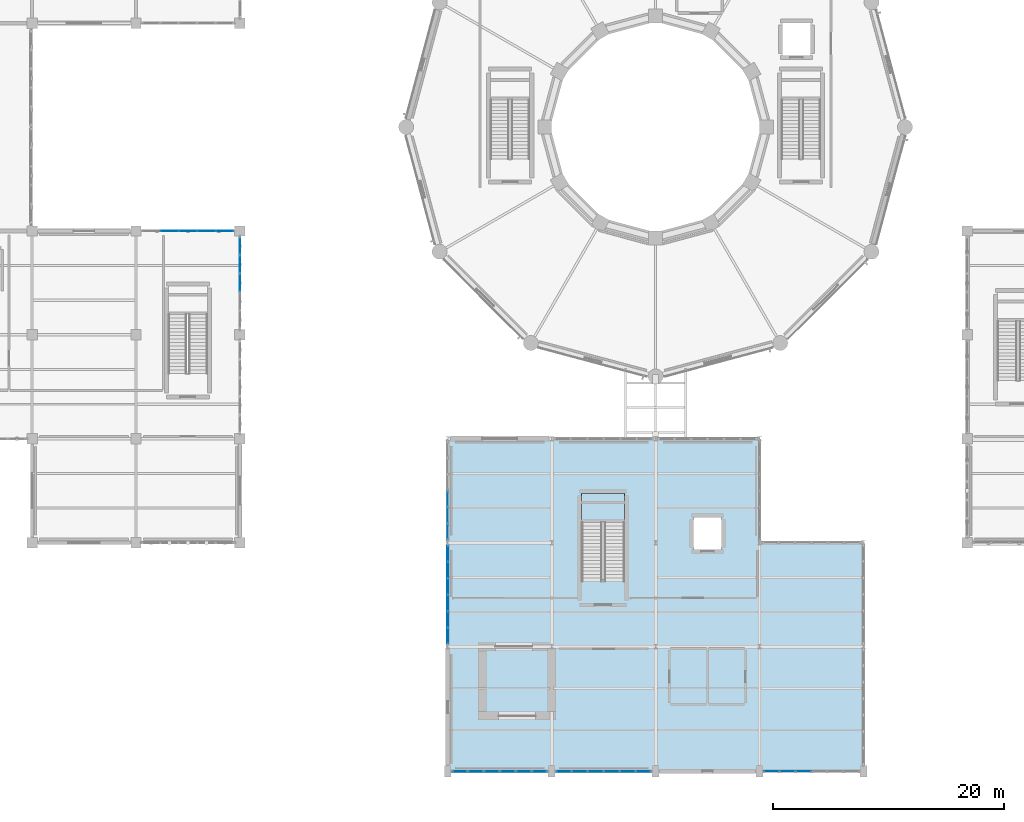
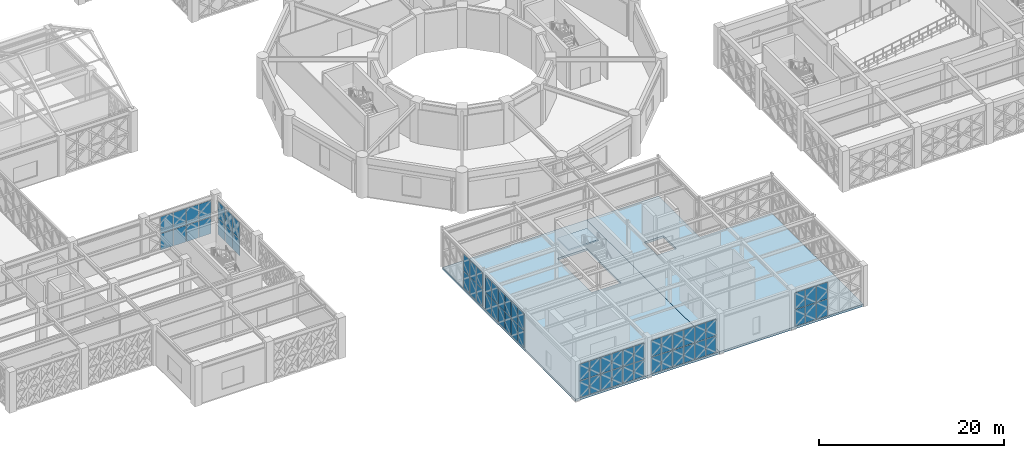
# One storey, part 126 of 166: 62 plates, 3 slabs, 8 elements without a shape of their own.
"""IFC4 building model written with IfcOpenShell, lengths in metres."""

import ifcopenshell
import ifcopenshell.guid

model = None  # the IFC model being written
_history = None  # IfcOwnerHistory: only IFC2X3 demands one
_inside = {}  # id of a spatial element -> (the spatial element, [elements in it])
_under = {}  # id of a project, library or spatial element -> (it, [spatial elements below it])
_declared = {}  # id of a project -> (the project, [libraries it declares])
_typed = {}  # id of a type object -> (the type object, [elements of that type])
_made_of = {}  # id of a material, layer set ... -> (it, [elements and type objects made of it])


def new_model(schema):
    """Start an empty IFC model of exactly this schema.

    Asked for "IFC4X3", IfcOpenShell would pick the latest addendum, in which some entities
    have other attributes; the version numbers below select the first issue.
    IFC2X3 requires an IfcOwnerHistory on every rooted entity: one is made here for all.
    """
    global model, _history
    if schema == "IFC4X3":
        model = ifcopenshell.file(schema_version=(4, 3, 0, 0))
    else:
        model = ifcopenshell.file(schema=schema)
    _inside.clear()
    _under.clear()
    _declared.clear()
    _typed.clear()
    _made_of.clear()
    _history = None
    if model.schema == "IFC2X3":
        org = make("IfcOrganization", Name="unknown")
        user = make(
            "IfcPersonAndOrganization",
            ThePerson=make("IfcPerson", FamilyName="unknown"),
            TheOrganization=org,
        )
        app = make(
            "IfcApplication",
            ApplicationDeveloper=org,
            Version="unknown",
            ApplicationFullName="unknown",
            ApplicationIdentifier="unknown",
        )
        _history = make(
            "IfcOwnerHistory",
            OwningUser=user,
            OwningApplication=app,
            ChangeAction="ADDED",
            CreationDate=0,
        )
    return model


def make(cls, **values):
    """One entity of the class cls with the attributes given. An attribute that is None is left unset."""
    return model.create_entity(
        cls, **{name: value for name, value in values.items() if value is not None}
    )


def rooted(cls, **values):
    """An entity with a GlobalId (a new one), such as an element, a storey or a relation."""
    return make(cls, GlobalId=ifcopenshell.guid.new(), OwnerHistory=_history, **values)


def si_unit(unit_type, name, prefix=None):
    """IfcSIUnit, for example si_unit("LENGTHUNIT", "METRE", prefix="MILLI")."""
    return make("IfcSIUnit", UnitType=unit_type, Prefix=prefix, Name=name)


def assignment(units):
    """IfcUnitAssignment: the units of a project."""
    return None if units is None else make("IfcUnitAssignment", Units=units)


def point(xyz):
    """IfcCartesianPoint."""
    return None if xyz is None else make("IfcCartesianPoint", Coordinates=xyz)


def direction(xyz):
    """IfcDirection."""
    return None if xyz is None else make("IfcDirection", DirectionRatios=xyz)


def frame(location, z_axis=None, x_axis=None):
    """IfcAxis2Placement3D, a coordinate frame: its origin and axes. An axis left out is left unset."""
    return make(
        "IfcAxis2Placement3D",
        Location=point(location),
        Axis=direction(z_axis),
        RefDirection=direction(x_axis),
    )


def frame_2d(location, x_axis=None):
    """IfcAxis2Placement2D, a coordinate frame in the plane: its origin and x axis."""
    return make(
        "IfcAxis2Placement2D", Location=point(location), RefDirection=direction(x_axis)
    )


def origin():
    """The frame at (0, 0, 0) with its axes left unset."""
    return frame((0.0, 0.0, 0.0))


def origin_2d():
    """The frame at (0, 0) in the plane with its x axis left unset."""
    return frame_2d((0.0, 0.0))


def place(relative_to, where):
    """IfcLocalPlacement: puts the frame where relative to a parent placement (None: the world)."""
    return make(
        "IfcLocalPlacement", PlacementRelTo=relative_to, RelativePlacement=where
    )


def context(
    kind, dimensions, precision=None, world=None, true_north=None, identifier=None
):
    """IfcGeometricRepresentationContext, for example the 3D "Model" context."""
    return make(
        "IfcGeometricRepresentationContext",
        ContextIdentifier=identifier,
        ContextType=kind,
        CoordinateSpaceDimension=dimensions,
        Precision=precision,
        WorldCoordinateSystem=world,
        TrueNorth=true_north,
    )


def subcontext(parent, identifier, kind, view, scale=None):
    """IfcGeometricRepresentationSubContext, for example "Body" below "Model"."""
    return make(
        "IfcGeometricRepresentationSubContext",
        ContextIdentifier=identifier,
        ContextType=kind,
        ParentContext=parent,
        TargetScale=scale,
        TargetView=view,
    )


def project(units=None, contexts=None):
    """IfcProject with its units and contexts."""
    return rooted(
        "IfcProject",
        Name="project",
        RepresentationContexts=contexts,
        UnitsInContext=assignment(units),
    )


def spatial(cls, under=None, at=None, **own):
    """A site, building, storey or space (cls), placed at a placement, below another one or the project."""
    s = rooted(cls, ObjectPlacement=at, **own)
    if under is not None:
        _under.setdefault(under.id(), (under, []))[1].append(s)
    return s


def polyline(points):
    """IfcPolyline through the points."""
    return make("IfcPolyline", Points=[point(p) for p in points])


def profile(cls, at=None, kind="AREA", **sizes):
    """A parametric profile (cls). Its sizes go by their IFC names, for example OverallWidth=200.0."""
    return make(cls, ProfileType=kind, Position=at, **sizes)


def rectangle(**sizes):
    """IfcRectangleProfileDef."""
    return profile("IfcRectangleProfileDef", **sizes)


def outline(outer, holes=None, kind="AREA"):
    """IfcArbitraryClosedProfileDef: a profile drawn as a closed curve; with holes, ...WithVoids."""
    if holes is None:
        return make("IfcArbitraryClosedProfileDef", ProfileType=kind, OuterCurve=outer)
    return make(
        "IfcArbitraryProfileDefWithVoids",
        ProfileType=kind,
        OuterCurve=outer,
        InnerCurves=holes,
    )


def extrude(swept, where, along, depth):
    """IfcExtrudedAreaSolid: the profile swept, set in the frame where, extruded along a direction by depth."""
    return make(
        "IfcExtrudedAreaSolid",
        SweptArea=swept,
        Position=where,
        ExtrudedDirection=direction(along),
        Depth=depth,
    )


def shape(context_of_items, identifier, shape_type, items):
    """IfcShapeRepresentation: the items that make up one representation, for example the "Body"."""
    return make(
        "IfcShapeRepresentation",
        ContextOfItems=context_of_items,
        RepresentationIdentifier=identifier,
        RepresentationType=shape_type,
        Items=items,
    )


def material(Name=None, Category=None):
    """IfcMaterial."""
    return make("IfcMaterial", Name=Name, Category=Category)


def layer(
    of_material, thickness, ventilated=None, Name=None, Category=None, Priority=None
):
    """IfcMaterialLayer: one layer of a wall or slab, of a material (None: an air gap)."""
    return make(
        "IfcMaterialLayer",
        Material=of_material,
        LayerThickness=thickness,
        IsVentilated=ventilated,
        Name=Name,
        Category=Category,
        Priority=Priority,
    )


def layer_set(layers, Name=None):
    """IfcMaterialLayerSet."""
    return make("IfcMaterialLayerSet", MaterialLayers=layers, LayerSetName=Name)


def made_of(thing, what):
    """Note that an element or type object is made of a material, layer set ...; save() writes the relation."""
    if what is not None:
        _made_of.setdefault(what.id(), (what, []))[1].append(thing)
    return thing


def type_object(cls, material=None, **own):
    """A type object (cls), such as IfcWallType, which elements share."""
    return made_of(rooted(cls, **own), material)


def element(
    cls,
    number,
    at=None,
    inside=None,
    cuts=None,
    type_object=None,
    material=None,
    context=None,
    identifier="Body",
    shape_type=None,
    held_by="IfcProductDefinitionShape",
    body=None,
    shapes=None,
    **own,
):
    """One element of the class cls, such as IfcWall. Its Tag is "e" and its number.

    at: its placement. inside: the storey or other place that contains it. cuts: it is an
    opening in that element (IfcRelVoidsElement). A single representation is given by context,
    identifier, shape_type and body (its items); several are given by shapes. held_by: the class
    of the entity that holds the representations. save() writes the other relations.
    """
    e = rooted(cls, Tag="e%d" % number, ObjectPlacement=at, **own)
    if body is not None:
        shapes = [shape(context, identifier, shape_type, body)]
    if shapes is not None:
        e.Representation = make(held_by, Representations=shapes)
    if inside is not None:
        _inside.setdefault(inside.id(), (inside, []))[1].append(e)
    if cuts is not None:
        rooted(
            "IfcRelVoidsElement", RelatingBuildingElement=cuts, RelatedOpeningElement=e
        )
    if type_object is not None:
        _typed.setdefault(type_object.id(), (type_object, []))[1].append(e)
    return made_of(e, material)


def aggregate(whole, parts):
    """IfcRelAggregates: a whole, such as a stair, and the parts it consists of."""
    return rooted("IfcRelAggregates", RelatingObject=whole, RelatedObjects=parts)


def save(model, path):
    """Write the relations noted so far, then the file.

    IfcRelAggregates (storeys below a building ...), IfcRelContainedInSpatialStructure (elements
    in a storey), IfcRelDefinesByType, IfcRelAssociatesMaterial and IfcRelDeclares: one each for
    every whole, place, type object, material and project.
    """
    for whole, parts in _under.values():
        aggregate(whole, parts)
    for where, things in _inside.values():
        rooted(
            "IfcRelContainedInSpatialStructure",
            RelatedElements=things,
            RelatingStructure=where,
        )
    for kind, things in _typed.values():
        rooted("IfcRelDefinesByType", RelatedObjects=things, RelatingType=kind)
    for what, things in _made_of.values():
        rooted("IfcRelAssociatesMaterial", RelatedObjects=things, RelatingMaterial=what)
    for by, libraries in _declared.values():
        rooted("IfcRelDeclares", RelatingContext=by, RelatedDefinitions=libraries)
    model.write(path)


model = new_model("IFC4")

# Units and contexts
model_context = context("Model", 3, precision=1e-05, world=origin(), true_north=direction((0.0, 1.0)))
body_context = subcontext(model_context, "Body", "Model", "MODEL_VIEW")
ifc_project = project(units=[si_unit("LENGTHUNIT", "METRE"), si_unit("AREAUNIT", "SQUARE_METRE"), si_unit("VOLUMEUNIT", "CUBIC_METRE"), si_unit("PLANEANGLEUNIT", "RADIAN"), si_unit("MASSUNIT", "GRAM", prefix="KILO")], contexts=[model_context])

# Site, building, storey
site_placement = place(None, origin())
site = spatial("IfcSite", under=ifc_project, at=site_placement, CompositionType="ELEMENT")
building_placement = place(site_placement, origin())
building = spatial("IfcBuilding", under=site, at=building_placement, Name="Haizhuo Lancet Aquarium", CompositionType="ELEMENT")
storey_placement = place(building_placement, frame((0.0, 0.0, 5.39990234375)))
storey = spatial("IfcBuildingStorey", under=building, at=storey_placement, Name="L01", CompositionType="ELEMENT", Elevation=5.39990234375)

# Curtain wall, plates
ifc_material_1 = material(Name="Aluminium 6063-T6", Category="aluminium")
curtain_wall_type_1 = type_object("IfcCurtainWallType", Name="CWO-8310x4550", PredefinedType="NOTDEFINED", material=ifc_material_1)
curtain_wall_1_placement = place(storey_placement, origin())
curtain_wall_1 = element("IfcCurtainWall", 1, at=curtain_wall_1_placement, inside=storey, type_object=curtain_wall_type_1, Name="L01 curtain wall CW-V4-L01-097", PredefinedType="NOTDEFINED")
ifc_material_2 = material(Name="Laminated Low-E Glass", Category="glass")
ifc_layer_1 = layer(ifc_material_2, 0.028076171875)
ifc_layer_set_1 = layer_set([ifc_layer_1], Name="Laminated Low-E Glass")
plate_type_1 = type_object("IfcPlateType", Name="CW-PNL-1", PredefinedType="CURTAIN_PANEL", material=ifc_layer_set_1)
plate_1_placement = place(storey_placement, frame((12.80810546875, -55.800048828125, 0.064453125), z_axis=(0.0, 0.0, 1.0), x_axis=(-1.0, 0.0, 0.0)))
plate_1 = element("IfcPlate", 2, at=plate_1_placement, type_object=plate_type_1, Name="CWO-83x45 panel 4.1", PredefinedType="CURTAIN_PANEL", context=body_context, shape_type="SweptSolid", body=[
    extrude(rectangle(XDim=1.320068359375, YDim=0.028076171875, at=origin_2d()), origin(), (0.0, 0.0, 1.0), 2.178955078125),
])
plate_2_placement = place(storey_placement, frame((12.80810546875, -55.800048828125, 2.30908203125), z_axis=(0.0, 0.0, 1.0), x_axis=(-1.0, 0.0, 0.0)))
plate_2 = element("IfcPlate", 3, at=plate_2_placement, type_object=plate_type_1, Name="CWO-83x45 panel 4.2", PredefinedType="CURTAIN_PANEL", context=body_context, shape_type="SweptSolid", body=[
    extrude(rectangle(XDim=1.320068359375, YDim=0.028076171875, at=origin_2d()), origin(), (0.0, 0.0, 1.0), 2.177978515625),
])
plate_3_placement = place(storey_placement, frame((11.423095703125, -55.800048828125, 0.064453125), z_axis=(0.0, 0.0, 1.0), x_axis=(-1.0, 0.0, 0.0)))
plate_3 = element("IfcPlate", 4, at=plate_3_placement, type_object=plate_type_1, Name="CWO-83x45 panel 5.1", PredefinedType="CURTAIN_PANEL", context=body_context, shape_type="SweptSolid", body=[
    extrude(rectangle(XDim=1.320068359375, YDim=0.028076171875, at=origin_2d()), origin(), (0.0, 0.0, 1.0), 2.178955078125),
])
plate_4_placement = place(storey_placement, frame((11.423095703125, -55.800048828125, 2.30908203125), z_axis=(0.0, 0.0, 1.0), x_axis=(-1.0, 0.0, 0.0)))
plate_4 = element("IfcPlate", 5, at=plate_4_placement, type_object=plate_type_1, Name="CWO-83x45 panel 5.2", PredefinedType="CURTAIN_PANEL", context=body_context, shape_type="SweptSolid", body=[
    extrude(rectangle(XDim=1.320068359375, YDim=0.028076171875, at=origin_2d()), origin(), (0.0, 0.0, 1.0), 2.177978515625),
])
plate_5_placement = place(storey_placement, frame((10.053955078125, -55.800048828125, 0.064453125), z_axis=(0.0, 0.0, 1.0), x_axis=(-1.0, 0.0, 0.0)))
plate_5 = element("IfcPlate", 6, at=plate_5_placement, type_object=plate_type_1, Name="CWO-83x45 panel 6.1", PredefinedType="CURTAIN_PANEL", context=body_context, shape_type="SweptSolid", body=[
    extrude(rectangle(XDim=1.287109375, YDim=0.028076171875, at=origin_2d()), origin(), (0.0, 0.0, 1.0), 2.178955078125),
])
plate_6_placement = place(storey_placement, frame((10.053955078125, -55.800048828125, 2.30908203125), z_axis=(0.0, 0.0, 1.0), x_axis=(-1.0, 0.0, 0.0)))
plate_6 = element("IfcPlate", 7, at=plate_6_placement, type_object=plate_type_1, Name="CWO-83x45 panel 6.2", PredefinedType="CURTAIN_PANEL", context=body_context, shape_type="SweptSolid", body=[
    extrude(rectangle(XDim=1.287109375, YDim=0.028076171875, at=origin_2d()), origin(), (0.0, 0.0, 1.0), 2.177978515625),
])
aggregate(curtain_wall_1, [plate_1, plate_2, plate_3, plate_4, plate_5, plate_6])

curtain_wall_type_2 = type_object("IfcCurtainWallType", Name="CWO-8560x4650", PredefinedType="NOTDEFINED", material=ifc_material_1)
curtain_wall_2_placement = place(storey_placement, origin())
curtain_wall_2 = element("IfcCurtainWall", 8, at=curtain_wall_2_placement, inside=storey, type_object=curtain_wall_type_2, Name="L01 curtain wall CW-V4-L01-101", PredefinedType="NOTDEFINED")
plate_7_placement = place(storey_placement, frame((-18.0, -35.048095703125, 0.0751953125), z_axis=(0.0, 0.0, 1.0), x_axis=(0.0, 1.0, 0.0)))
plate_7 = element("IfcPlate", 9, at=plate_7_placement, type_object=plate_type_1, Name="CWO-85x46 panel 1.1", PredefinedType="CURTAIN_PANEL", context=body_context, shape_type="SweptSolid", body=[
    extrude(rectangle(XDim=1.31396484375, YDim=0.028076171875, at=origin_2d()), origin(), (0.0, 0.0, 1.0), 2.214111328125),
])
plate_8_placement = place(storey_placement, frame((-18.0, -35.048095703125, 2.36328125), z_axis=(0.0, 0.0, 1.0), x_axis=(0.0, 1.0, 0.0)))
plate_8 = element("IfcPlate", 10, at=plate_8_placement, type_object=plate_type_1, Name="CWO-85x46 panel 1.2", PredefinedType="CURTAIN_PANEL", context=body_context, shape_type="SweptSolid", body=[
    extrude(rectangle(XDim=1.31396484375, YDim=0.028076171875, at=origin_2d()), origin(), (0.0, 0.0, 1.0), 2.214111328125),
])
plate_9_placement = place(storey_placement, frame((-18.0, -33.639892578125, 0.0751953125), z_axis=(0.0, 0.0, 1.0), x_axis=(0.0, 1.0, 0.0)))
plate_9 = element("IfcPlate", 11, at=plate_9_placement, type_object=plate_type_1, Name="CWO-85x46 panel 2.1", PredefinedType="CURTAIN_PANEL", context=body_context, shape_type="SweptSolid", body=[
    extrude(rectangle(XDim=1.35205078125, YDim=0.028076171875, at=origin_2d()), origin(), (0.0, 0.0, 1.0), 2.214111328125),
])
plate_10_placement = place(storey_placement, frame((-18.0, -33.639892578125, 2.36328125), z_axis=(0.0, 0.0, 1.0), x_axis=(0.0, 1.0, 0.0)))
plate_10 = element("IfcPlate", 12, at=plate_10_placement, type_object=plate_type_1, Name="CWO-85x46 panel 2.2", PredefinedType="CURTAIN_PANEL", context=body_context, shape_type="SweptSolid", body=[
    extrude(rectangle(XDim=1.35205078125, YDim=0.028076171875, at=origin_2d()), origin(), (0.0, 0.0, 1.0), 2.214111328125),
])
plate_11_placement = place(storey_placement, frame((-18.0, -32.212890625, 0.0751953125), z_axis=(0.0, 0.0, 1.0), x_axis=(0.0, 1.0, 0.0)))
plate_11 = element("IfcPlate", 13, at=plate_11_placement, type_object=plate_type_1, Name="CWO-85x46 panel 3.1", PredefinedType="CURTAIN_PANEL", context=body_context, shape_type="SweptSolid", body=[
    extrude(rectangle(XDim=1.35205078125, YDim=0.028076171875, at=origin_2d()), origin(), (0.0, 0.0, 1.0), 2.214111328125),
])
plate_12_placement = place(storey_placement, frame((-18.0, -32.212890625, 2.36328125), z_axis=(0.0, 0.0, 1.0), x_axis=(0.0, 1.0, 0.0)))
plate_12 = element("IfcPlate", 14, at=plate_12_placement, type_object=plate_type_1, Name="CWO-85x46 panel 3.2", PredefinedType="CURTAIN_PANEL", context=body_context, shape_type="SweptSolid", body=[
    extrude(rectangle(XDim=1.35205078125, YDim=0.028076171875, at=origin_2d()), origin(), (0.0, 0.0, 1.0), 2.214111328125),
])
aggregate(curtain_wall_2, [plate_7, plate_8, plate_9, plate_10, plate_11, plate_12])

curtain_wall_type_3 = type_object("IfcCurtainWallType", Name="CWO-8010x4540", PredefinedType="NOTDEFINED", material=ifc_material_1)
curtain_wall_3_placement = place(storey_placement, origin())
curtain_wall_3 = element("IfcCurtainWall", 15, at=curtain_wall_3_placement, inside=storey, type_object=curtain_wall_type_3, Name="L01 curtain wall CW-V6-L01-205", PredefinedType="NOTDEFINED")
plate_13_placement = place(storey_placement, frame((-42.10205078125, -9.0, 0.064453125), z_axis=(0.0, 0.0, 1.0), x_axis=(1.0, 0.0, 0.0)))
plate_13 = element("IfcPlate", 16, at=plate_13_placement, type_object=plate_type_1, Name="CWO-80x45 panel 2.1", PredefinedType="CURTAIN_PANEL", context=body_context, shape_type="SweptSolid", body=[
    extrude(rectangle(XDim=1.537109375, YDim=0.028076171875, at=origin_2d()), origin(), (0.0, 0.0, 1.0), 2.173095703125),
])
plate_14_placement = place(storey_placement, frame((-42.10205078125, -9.0, 2.30322265625), z_axis=(0.0, 0.0, 1.0), x_axis=(1.0, 0.0, 0.0)))
plate_14 = element("IfcPlate", 17, at=plate_14_placement, type_object=plate_type_1, Name="CWO-80x45 panel 2.2", PredefinedType="CURTAIN_PANEL", context=body_context, shape_type="SweptSolid", body=[
    extrude(rectangle(XDim=1.537109375, YDim=0.028076171875, at=origin_2d()), origin(), (0.0, 0.0, 1.0), 2.172119140625),
])
plate_15_placement = place(storey_placement, frame((-40.5, -9.0, 0.064453125), z_axis=(0.0, 0.0, 1.0), x_axis=(1.0, 0.0, 0.0)))
plate_15 = element("IfcPlate", 18, at=plate_15_placement, type_object=plate_type_1, Name="CWO-80x45 panel 3.1", PredefinedType="CURTAIN_PANEL", context=body_context, shape_type="SweptSolid", body=[
    extrude(rectangle(XDim=1.537109375, YDim=0.028076171875, at=origin_2d()), origin(), (0.0, 0.0, 1.0), 2.173095703125),
])
plate_16_placement = place(storey_placement, frame((-40.5, -9.0, 2.30322265625), z_axis=(0.0, 0.0, 1.0), x_axis=(1.0, 0.0, 0.0)))
plate_16 = element("IfcPlate", 19, at=plate_16_placement, type_object=plate_type_1, Name="CWO-80x45 panel 3.2", PredefinedType="CURTAIN_PANEL", context=body_context, shape_type="SweptSolid", body=[
    extrude(rectangle(XDim=1.537109375, YDim=0.028076171875, at=origin_2d()), origin(), (0.0, 0.0, 1.0), 2.172119140625),
])
plate_17_placement = place(storey_placement, frame((-38.89794921875, -9.0, 0.064453125), z_axis=(0.0, 0.0, 1.0), x_axis=(1.0, 0.0, 0.0)))
plate_17 = element("IfcPlate", 20, at=plate_17_placement, type_object=plate_type_1, Name="CWO-80x45 panel 4.1", PredefinedType="CURTAIN_PANEL", context=body_context, shape_type="SweptSolid", body=[
    extrude(rectangle(XDim=1.537109375, YDim=0.028076171875, at=origin_2d()), origin(), (0.0, 0.0, 1.0), 2.173095703125),
])
plate_18_placement = place(storey_placement, frame((-38.89794921875, -9.0, 2.30322265625), z_axis=(0.0, 0.0, 1.0), x_axis=(1.0, 0.0, 0.0)))
plate_18 = element("IfcPlate", 21, at=plate_18_placement, type_object=plate_type_1, Name="CWO-80x45 panel 4.2", PredefinedType="CURTAIN_PANEL", context=body_context, shape_type="SweptSolid", body=[
    extrude(rectangle(XDim=1.537109375, YDim=0.028076171875, at=origin_2d()), origin(), (0.0, 0.0, 1.0), 2.172119140625),
])
plate_19_placement = place(storey_placement, frame((-37.31201171875, -9.0, 0.064453125), z_axis=(0.0, 0.0, 1.0), x_axis=(1.0, 0.0, 0.0)))
plate_19 = element("IfcPlate", 22, at=plate_19_placement, type_object=plate_type_1, Name="CWO-80x45 panel 5.1", PredefinedType="CURTAIN_PANEL", context=body_context, shape_type="SweptSolid", body=[
    extrude(rectangle(XDim=1.5048828125, YDim=0.028076171875, at=origin_2d()), origin(), (0.0, 0.0, 1.0), 2.173095703125),
])
plate_20_placement = place(storey_placement, frame((-37.31201171875, -9.0, 2.30322265625), z_axis=(0.0, 0.0, 1.0), x_axis=(1.0, 0.0, 0.0)))
plate_20 = element("IfcPlate", 23, at=plate_20_placement, type_object=plate_type_1, Name="CWO-80x45 panel 5.2", PredefinedType="CURTAIN_PANEL", context=body_context, shape_type="SweptSolid", body=[
    extrude(rectangle(XDim=1.5048828125, YDim=0.028076171875, at=origin_2d()), origin(), (0.0, 0.0, 1.0), 2.172119140625),
])
aggregate(curtain_wall_3, [plate_13, plate_14, plate_15, plate_16, plate_17, plate_18, plate_19, plate_20])

curtain_wall_4_placement = place(storey_placement, origin())
curtain_wall_4 = element("IfcCurtainWall", 24, at=curtain_wall_4_placement, inside=storey, type_object=curtain_wall_type_1, Name="L01 curtain wall CW-V4-L01-098", PredefinedType="NOTDEFINED")
ifc_layer_2 = layer(ifc_material_2, 0.033935546875)
ifc_layer_set_2 = layer_set([ifc_layer_2], Name="Laminated Low-E Glass")
plate_type_2 = type_object("IfcPlateType", Name="CW-PNL-2", PredefinedType="CURTAIN_PANEL", material=ifc_layer_set_2)
plate_21_placement = place(storey_placement, frame((-1.055908203125, -55.800048828125, 0.074951171875), z_axis=(0.0, 0.0, 1.0), x_axis=(-1.0, 0.0, 0.0)))
plate_21 = element("IfcPlate", 25, at=plate_21_placement, type_object=plate_type_2, Name="CWO-83x45 panel 1.1", PredefinedType="CURTAIN_PANEL", context=body_context, shape_type="SweptSolid", body=[
    extrude(rectangle(XDim=1.27197265625, YDim=0.033935546875, at=origin_2d()), origin(), (0.0, 0.0, 1.0), 2.1640625),
])
plate_22_placement = place(storey_placement, frame((-1.055908203125, -55.800048828125, 2.31298828125), z_axis=(0.0, 0.0, 1.0), x_axis=(-1.0, 0.0, 0.0)))
plate_22 = element("IfcPlate", 26, at=plate_22_placement, type_object=plate_type_2, Name="CWO-83x45 panel 1.2", PredefinedType="CURTAIN_PANEL", context=body_context, shape_type="SweptSolid", body=[
    extrude(rectangle(XDim=1.27197265625, YDim=0.033935546875, at=origin_2d()), origin(), (0.0, 0.0, 1.0), 2.1640625),
])
plate_23_placement = place(storey_placement, frame((-2.422119140625, -55.800048828125, 0.074951171875), z_axis=(0.0, 0.0, 1.0), x_axis=(-1.0, 0.0, 0.0)))
plate_23 = element("IfcPlate", 27, at=plate_23_placement, type_object=plate_type_2, Name="CWO-83x45 panel 2.1", PredefinedType="CURTAIN_PANEL", context=body_context, shape_type="SweptSolid", body=[
    extrude(rectangle(XDim=1.31005859375, YDim=0.033935546875, at=origin_2d()), origin(), (0.0, 0.0, 1.0), 2.1640625),
])
plate_24_placement = place(storey_placement, frame((-2.422119140625, -55.800048828125, 2.31298828125), z_axis=(0.0, 0.0, 1.0), x_axis=(-1.0, 0.0, 0.0)))
plate_24 = element("IfcPlate", 28, at=plate_24_placement, type_object=plate_type_2, Name="CWO-83x45 panel 2.2", PredefinedType="CURTAIN_PANEL", context=body_context, shape_type="SweptSolid", body=[
    extrude(rectangle(XDim=1.31005859375, YDim=0.033935546875, at=origin_2d()), origin(), (0.0, 0.0, 1.0), 2.1640625),
])
plate_25_placement = place(storey_placement, frame((-3.806884765625, -55.800048828125, 0.074951171875), z_axis=(0.0, 0.0, 1.0), x_axis=(-1.0, 0.0, 0.0)))
plate_25 = element("IfcPlate", 29, at=plate_25_placement, type_object=plate_type_2, Name="CWO-83x45 panel 3.1", PredefinedType="CURTAIN_PANEL", context=body_context, shape_type="SweptSolid", body=[
    extrude(rectangle(XDim=1.31005859375, YDim=0.033935546875, at=origin_2d()), origin(), (0.0, 0.0, 1.0), 2.1640625),
])
plate_26_placement = place(storey_placement, frame((-3.806884765625, -55.800048828125, 2.31298828125), z_axis=(0.0, 0.0, 1.0), x_axis=(-1.0, 0.0, 0.0)))
plate_26 = element("IfcPlate", 30, at=plate_26_placement, type_object=plate_type_2, Name="CWO-83x45 panel 3.2", PredefinedType="CURTAIN_PANEL", context=body_context, shape_type="SweptSolid", body=[
    extrude(rectangle(XDim=1.31005859375, YDim=0.033935546875, at=origin_2d()), origin(), (0.0, 0.0, 1.0), 2.1640625),
])
plate_27_placement = place(storey_placement, frame((-5.19189453125, -55.800048828125, 0.074951171875), z_axis=(0.0, 0.0, 1.0), x_axis=(-1.0, 0.0, 0.0)))
plate_27 = element("IfcPlate", 31, at=plate_27_placement, type_object=plate_type_2, Name="CWO-83x45 panel 4.1", PredefinedType="CURTAIN_PANEL", context=body_context, shape_type="SweptSolid", body=[
    extrude(rectangle(XDim=1.31005859375, YDim=0.033935546875, at=origin_2d()), origin(), (0.0, 0.0, 1.0), 2.1640625),
])
plate_28_placement = place(storey_placement, frame((-5.19189453125, -55.800048828125, 2.31298828125), z_axis=(0.0, 0.0, 1.0), x_axis=(-1.0, 0.0, 0.0)))
plate_28 = element("IfcPlate", 32, at=plate_28_placement, type_object=plate_type_2, Name="CWO-83x45 panel 4.2", PredefinedType="CURTAIN_PANEL", context=body_context, shape_type="SweptSolid", body=[
    extrude(rectangle(XDim=1.31005859375, YDim=0.033935546875, at=origin_2d()), origin(), (0.0, 0.0, 1.0), 2.1640625),
])
plate_29_placement = place(storey_placement, frame((-6.576904296875, -55.800048828125, 0.074951171875), z_axis=(0.0, 0.0, 1.0), x_axis=(-1.0, 0.0, 0.0)))
plate_29 = element("IfcPlate", 33, at=plate_29_placement, type_object=plate_type_2, Name="CWO-83x45 panel 5.1", PredefinedType="CURTAIN_PANEL", context=body_context, shape_type="SweptSolid", body=[
    extrude(rectangle(XDim=1.31005859375, YDim=0.033935546875, at=origin_2d()), origin(), (0.0, 0.0, 1.0), 2.1640625),
])
plate_30_placement = place(storey_placement, frame((-6.576904296875, -55.800048828125, 2.31298828125), z_axis=(0.0, 0.0, 1.0), x_axis=(-1.0, 0.0, 0.0)))
plate_30 = element("IfcPlate", 34, at=plate_30_placement, type_object=plate_type_2, Name="CWO-83x45 panel 5.2", PredefinedType="CURTAIN_PANEL", context=body_context, shape_type="SweptSolid", body=[
    extrude(rectangle(XDim=1.31005859375, YDim=0.033935546875, at=origin_2d()), origin(), (0.0, 0.0, 1.0), 2.1640625),
])
plate_31_placement = place(storey_placement, frame((-7.944091796875, -55.800048828125, 0.074951171875), z_axis=(0.0, 0.0, 1.0), x_axis=(-1.0, 0.0, 0.0)))
plate_31 = element("IfcPlate", 35, at=plate_31_placement, type_object=plate_type_2, Name="CWO-83x45 panel 6.1", PredefinedType="CURTAIN_PANEL", context=body_context, shape_type="SweptSolid", body=[
    extrude(rectangle(XDim=1.27294921875, YDim=0.033935546875, at=origin_2d()), origin(), (0.0, 0.0, 1.0), 2.1640625),
])
plate_32_placement = place(storey_placement, frame((-7.944091796875, -55.800048828125, 2.31298828125), z_axis=(0.0, 0.0, 1.0), x_axis=(-1.0, 0.0, 0.0)))
plate_32 = element("IfcPlate", 36, at=plate_32_placement, type_object=plate_type_2, Name="CWO-83x45 panel 6.2", PredefinedType="CURTAIN_PANEL", context=body_context, shape_type="SweptSolid", body=[
    extrude(rectangle(XDim=1.27294921875, YDim=0.033935546875, at=origin_2d()), origin(), (0.0, 0.0, 1.0), 2.1640625),
])
aggregate(curtain_wall_4, [plate_21, plate_22, plate_23, plate_24, plate_25, plate_26, plate_27, plate_28, plate_29, plate_30, plate_31, plate_32])

curtain_wall_type_4 = type_object("IfcCurtainWallType", Name="CWD-8010x4540", PredefinedType="NOTDEFINED", material=ifc_material_1)
curtain_wall_5_placement = place(storey_placement, origin())
curtain_wall_5 = element("IfcCurtainWall", 37, at=curtain_wall_5_placement, inside=storey, type_object=curtain_wall_type_4, Name="L01 curtain wall CW-V6-L01-206", PredefinedType="NOTDEFINED")
plate_33_placement = place(storey_placement, frame((-36.0, -10.31494140625, 0.0751953125), z_axis=(0.0, 0.0, 1.0), x_axis=(0.0, -1.0, 0.0)))
plate_33 = element("IfcPlate", 38, at=plate_33_placement, type_object=plate_type_2, Name="CWD-80x45 panel 1.1", PredefinedType="CURTAIN_PANEL", context=body_context, shape_type="SweptSolid", body=[
    extrude(rectangle(XDim=1.489013671875, YDim=0.033935546875, at=origin_2d()), origin(), (0.0, 0.0, 1.0), 2.157958984375),
])
plate_34_placement = place(storey_placement, frame((-36.0, -10.31494140625, 2.30712890625), z_axis=(0.0, 0.0, 1.0), x_axis=(0.0, -1.0, 0.0)))
plate_34 = element("IfcPlate", 39, at=plate_34_placement, type_object=plate_type_2, Name="CWD-80x45 panel 1.2", PredefinedType="CURTAIN_PANEL", context=body_context, shape_type="SweptSolid", body=[
    extrude(rectangle(XDim=1.489013671875, YDim=0.033935546875, at=origin_2d()), origin(), (0.0, 0.0, 1.0), 2.157958984375),
])
plate_35_placement = place(storey_placement, frame((-36.0, -11.89794921875, 0.0751953125), z_axis=(0.0, 0.0, 1.0), x_axis=(0.0, -1.0, 0.0)))
plate_35 = element("IfcPlate", 40, at=plate_35_placement, type_object=plate_type_2, Name="CWD-80x45 panel 2.1", PredefinedType="CURTAIN_PANEL", context=body_context, shape_type="SweptSolid", body=[
    extrude(rectangle(XDim=1.527099609375, YDim=0.033935546875, at=origin_2d()), origin(), (0.0, 0.0, 1.0), 2.157958984375),
])
plate_36_placement = place(storey_placement, frame((-36.0, -11.89794921875, 2.30712890625), z_axis=(0.0, 0.0, 1.0), x_axis=(0.0, -1.0, 0.0)))
plate_36 = element("IfcPlate", 41, at=plate_36_placement, type_object=plate_type_2, Name="CWD-80x45 panel 2.2", PredefinedType="CURTAIN_PANEL", context=body_context, shape_type="SweptSolid", body=[
    extrude(rectangle(XDim=1.527099609375, YDim=0.033935546875, at=origin_2d()), origin(), (0.0, 0.0, 1.0), 2.157958984375),
])
plate_37_placement = place(storey_placement, frame((-36.0, -13.5, 0.0751953125), z_axis=(0.0, 0.0, 1.0), x_axis=(0.0, -1.0, 0.0)))
plate_37 = element("IfcPlate", 42, at=plate_37_placement, type_object=plate_type_2, Name="CWD-80x45 panel 3.1", PredefinedType="CURTAIN_PANEL", context=body_context, shape_type="SweptSolid", body=[
    extrude(rectangle(XDim=1.527099609375, YDim=0.033935546875, at=origin_2d()), origin(), (0.0, 0.0, 1.0), 2.157958984375),
])
plate_38_placement = place(storey_placement, frame((-36.0, -13.5, 2.30712890625), z_axis=(0.0, 0.0, 1.0), x_axis=(0.0, -1.0, 0.0)))
plate_38 = element("IfcPlate", 43, at=plate_38_placement, type_object=plate_type_2, Name="CWD-80x45 panel 3.2", PredefinedType="CURTAIN_PANEL", context=body_context, shape_type="SweptSolid", body=[
    extrude(rectangle(XDim=1.527099609375, YDim=0.033935546875, at=origin_2d()), origin(), (0.0, 0.0, 1.0), 2.157958984375),
])
aggregate(curtain_wall_5, [plate_33, plate_34, plate_35, plate_36, plate_37, plate_38])

curtain_wall_6_placement = place(storey_placement, origin())
curtain_wall_6 = element("IfcCurtainWall", 44, at=curtain_wall_6_placement, inside=storey, type_object=curtain_wall_type_1, Name="L01 curtain wall CW-V4-L01-099", PredefinedType="NOTDEFINED")
ifc_layer_3 = layer(ifc_material_2, 0.0419921875)
ifc_layer_set_3 = layer_set([ifc_layer_3], Name="Laminated Low-E Glass")
plate_type_3 = type_object("IfcPlateType", Name="CW-PNL-3", PredefinedType="CURTAIN_PANEL", material=ifc_layer_set_3)
plate_39_placement = place(storey_placement, frame((-10.05810546875, -55.800048828125, 0.080078125), z_axis=(0.0, 0.0, 1.0), x_axis=(-1.0, 0.0, 0.0)))
plate_39 = element("IfcPlate", 45, at=plate_39_placement, type_object=plate_type_3, Name="CWO-83x45 panel 1.1", PredefinedType="CURTAIN_PANEL", context=body_context, shape_type="SweptSolid", body=[
    extrude(rectangle(XDim=1.264892578125, YDim=0.0419921875, at=origin_2d()), origin(), (0.0, 0.0, 1.0), 2.156005859375),
])
plate_40_placement = place(storey_placement, frame((-10.05810546875, -55.800048828125, 2.31591796875), z_axis=(0.0, 0.0, 1.0), x_axis=(-1.0, 0.0, 0.0)))
plate_40 = element("IfcPlate", 46, at=plate_40_placement, type_object=plate_type_3, Name="CWO-83x45 panel 1.2", PredefinedType="CURTAIN_PANEL", context=body_context, shape_type="SweptSolid", body=[
    extrude(rectangle(XDim=1.264892578125, YDim=0.0419921875, at=origin_2d()), origin(), (0.0, 0.0, 1.0), 2.156005859375),
])
plate_41_placement = place(storey_placement, frame((-11.423095703125, -55.800048828125, 0.080078125), z_axis=(0.0, 0.0, 1.0), x_axis=(-1.0, 0.0, 0.0)))
plate_41 = element("IfcPlate", 47, at=plate_41_placement, type_object=plate_type_3, Name="CWO-83x45 panel 2.1", PredefinedType="CURTAIN_PANEL", context=body_context, shape_type="SweptSolid", body=[
    extrude(rectangle(XDim=1.304931640625, YDim=0.0419921875, at=origin_2d()), origin(), (0.0, 0.0, 1.0), 2.156005859375),
])
plate_42_placement = place(storey_placement, frame((-11.423095703125, -55.800048828125, 2.31591796875), z_axis=(0.0, 0.0, 1.0), x_axis=(-1.0, 0.0, 0.0)))
plate_42 = element("IfcPlate", 48, at=plate_42_placement, type_object=plate_type_3, Name="CWO-83x45 panel 2.2", PredefinedType="CURTAIN_PANEL", context=body_context, shape_type="SweptSolid", body=[
    extrude(rectangle(XDim=1.304931640625, YDim=0.0419921875, at=origin_2d()), origin(), (0.0, 0.0, 1.0), 2.156005859375),
])
plate_43_placement = place(storey_placement, frame((-12.80810546875, -55.800048828125, 0.080078125), z_axis=(0.0, 0.0, 1.0), x_axis=(-1.0, 0.0, 0.0)))
plate_43 = element("IfcPlate", 49, at=plate_43_placement, type_object=plate_type_3, Name="CWO-83x45 panel 3.1", PredefinedType="CURTAIN_PANEL", context=body_context, shape_type="SweptSolid", body=[
    extrude(rectangle(XDim=1.304931640625, YDim=0.0419921875, at=origin_2d()), origin(), (0.0, 0.0, 1.0), 2.156005859375),
])
plate_44_placement = place(storey_placement, frame((-12.80810546875, -55.800048828125, 2.31591796875), z_axis=(0.0, 0.0, 1.0), x_axis=(-1.0, 0.0, 0.0)))
plate_44 = element("IfcPlate", 50, at=plate_44_placement, type_object=plate_type_3, Name="CWO-83x45 panel 3.2", PredefinedType="CURTAIN_PANEL", context=body_context, shape_type="SweptSolid", body=[
    extrude(rectangle(XDim=1.304931640625, YDim=0.0419921875, at=origin_2d()), origin(), (0.0, 0.0, 1.0), 2.156005859375),
])
plate_45_placement = place(storey_placement, frame((-14.193115234375, -55.800048828125, 0.080078125), z_axis=(0.0, 0.0, 1.0), x_axis=(-1.0, 0.0, 0.0)))
plate_45 = element("IfcPlate", 51, at=plate_45_placement, type_object=plate_type_3, Name="CWO-83x45 panel 4.1", PredefinedType="CURTAIN_PANEL", context=body_context, shape_type="SweptSolid", body=[
    extrude(rectangle(XDim=1.304931640625, YDim=0.0419921875, at=origin_2d()), origin(), (0.0, 0.0, 1.0), 2.156005859375),
])
plate_46_placement = place(storey_placement, frame((-14.193115234375, -55.800048828125, 2.31591796875), z_axis=(0.0, 0.0, 1.0), x_axis=(-1.0, 0.0, 0.0)))
plate_46 = element("IfcPlate", 52, at=plate_46_placement, type_object=plate_type_3, Name="CWO-83x45 panel 4.2", PredefinedType="CURTAIN_PANEL", context=body_context, shape_type="SweptSolid", body=[
    extrude(rectangle(XDim=1.304931640625, YDim=0.0419921875, at=origin_2d()), origin(), (0.0, 0.0, 1.0), 2.156005859375),
])
plate_47_placement = place(storey_placement, frame((-15.577880859375, -55.800048828125, 0.080078125), z_axis=(0.0, 0.0, 1.0), x_axis=(-1.0, 0.0, 0.0)))
plate_47 = element("IfcPlate", 53, at=plate_47_placement, type_object=plate_type_3, Name="CWO-83x45 panel 5.1", PredefinedType="CURTAIN_PANEL", context=body_context, shape_type="SweptSolid", body=[
    extrude(rectangle(XDim=1.304931640625, YDim=0.0419921875, at=origin_2d()), origin(), (0.0, 0.0, 1.0), 2.156005859375),
])
plate_48_placement = place(storey_placement, frame((-15.577880859375, -55.800048828125, 2.31591796875), z_axis=(0.0, 0.0, 1.0), x_axis=(-1.0, 0.0, 0.0)))
plate_48 = element("IfcPlate", 54, at=plate_48_placement, type_object=plate_type_3, Name="CWO-83x45 panel 5.2", PredefinedType="CURTAIN_PANEL", context=body_context, shape_type="SweptSolid", body=[
    extrude(rectangle(XDim=1.304931640625, YDim=0.0419921875, at=origin_2d()), origin(), (0.0, 0.0, 1.0), 2.156005859375),
])
plate_49_placement = place(storey_placement, frame((-16.943115234375, -55.800048828125, 0.080078125), z_axis=(0.0, 0.0, 1.0), x_axis=(-1.0, 0.0, 0.0)))
plate_49 = element("IfcPlate", 55, at=plate_49_placement, type_object=plate_type_3, Name="CWO-83x45 panel 6.1", PredefinedType="CURTAIN_PANEL", context=body_context, shape_type="SweptSolid", body=[
    extrude(rectangle(XDim=1.264892578125, YDim=0.0419921875, at=origin_2d()), origin(), (0.0, 0.0, 1.0), 2.156005859375),
])
plate_50_placement = place(storey_placement, frame((-16.943115234375, -55.800048828125, 2.31591796875), z_axis=(0.0, 0.0, 1.0), x_axis=(-1.0, 0.0, 0.0)))
plate_50 = element("IfcPlate", 56, at=plate_50_placement, type_object=plate_type_3, Name="CWO-83x45 panel 6.2", PredefinedType="CURTAIN_PANEL", context=body_context, shape_type="SweptSolid", body=[
    extrude(rectangle(XDim=1.264892578125, YDim=0.0419921875, at=origin_2d()), origin(), (0.0, 0.0, 1.0), 2.156005859375),
])
aggregate(curtain_wall_6, [plate_39, plate_40, plate_41, plate_42, plate_43, plate_44, plate_45, plate_46, plate_47, plate_48, plate_49, plate_50])

curtain_wall_7_placement = place(storey_placement, origin())
curtain_wall_7 = element("IfcCurtainWall", 57, at=curtain_wall_7_placement, inside=storey, type_object=curtain_wall_type_2, Name="L01 curtain wall CW-V4-L01-100", PredefinedType="NOTDEFINED")
ifc_layer_4 = layer(ifc_material_2, 0.052001953125)
ifc_layer_set_4 = layer_set([ifc_layer_4], Name="Laminated Low-E Glass")
plate_type_4 = type_object("IfcPlateType", Name="CW-PNL-4", PredefinedType="CURTAIN_PANEL", material=ifc_layer_set_4)
plate_51_placement = place(storey_placement, frame((-18.0, -44.050048828125, 0.064697265625), z_axis=(0.0, 0.0, 1.0), x_axis=(0.0, 1.0, 0.0)))
plate_51 = element("IfcPlate", 58, at=plate_51_placement, type_object=plate_type_4, Name="CWO-85x46 panel 1.1", PredefinedType="CURTAIN_PANEL", context=body_context, shape_type="SweptSolid", body=[
    extrude(rectangle(XDim=1.3291015625, YDim=0.052001953125, at=origin_2d()), origin(), (0.0, 0.0, 1.0), 2.22900390625),
])
plate_52_placement = place(storey_placement, frame((-18.0, -44.050048828125, 2.359130859375), z_axis=(0.0, 0.0, 1.0), x_axis=(0.0, 1.0, 0.0)))
plate_52 = element("IfcPlate", 59, at=plate_52_placement, type_object=plate_type_4, Name="CWO-85x46 panel 1.2", PredefinedType="CURTAIN_PANEL", context=body_context, shape_type="SweptSolid", body=[
    extrude(rectangle(XDim=1.3291015625, YDim=0.052001953125, at=origin_2d()), origin(), (0.0, 0.0, 1.0), 2.22802734375),
])
plate_53_placement = place(storey_placement, frame((-18.0, -42.639892578125, 0.064697265625), z_axis=(0.0, 0.0, 1.0), x_axis=(0.0, 1.0, 0.0)))
plate_53 = element("IfcPlate", 60, at=plate_53_placement, type_object=plate_type_4, Name="CWO-85x46 panel 2.1", PredefinedType="CURTAIN_PANEL", context=body_context, shape_type="SweptSolid", body=[
    extrude(rectangle(XDim=1.362060546875, YDim=0.052001953125, at=origin_2d()), origin(), (0.0, 0.0, 1.0), 2.22900390625),
])
plate_54_placement = place(storey_placement, frame((-18.0, -42.639892578125, 2.359130859375), z_axis=(0.0, 0.0, 1.0), x_axis=(0.0, 1.0, 0.0)))
plate_54 = element("IfcPlate", 61, at=plate_54_placement, type_object=plate_type_4, Name="CWO-85x46 panel 2.2", PredefinedType="CURTAIN_PANEL", context=body_context, shape_type="SweptSolid", body=[
    extrude(rectangle(XDim=1.362060546875, YDim=0.052001953125, at=origin_2d()), origin(), (0.0, 0.0, 1.0), 2.22802734375),
])
plate_55_placement = place(storey_placement, frame((-18.0, -41.212890625, 0.064697265625), z_axis=(0.0, 0.0, 1.0), x_axis=(0.0, 1.0, 0.0)))
plate_55 = element("IfcPlate", 62, at=plate_55_placement, type_object=plate_type_4, Name="CWO-85x46 panel 3.1", PredefinedType="CURTAIN_PANEL", context=body_context, shape_type="SweptSolid", body=[
    extrude(rectangle(XDim=1.362060546875, YDim=0.052001953125, at=origin_2d()), origin(), (0.0, 0.0, 1.0), 2.22900390625),
])
plate_56_placement = place(storey_placement, frame((-18.0, -41.212890625, 2.359130859375), z_axis=(0.0, 0.0, 1.0), x_axis=(0.0, 1.0, 0.0)))
plate_56 = element("IfcPlate", 63, at=plate_56_placement, type_object=plate_type_4, Name="CWO-85x46 panel 3.2", PredefinedType="CURTAIN_PANEL", context=body_context, shape_type="SweptSolid", body=[
    extrude(rectangle(XDim=1.362060546875, YDim=0.052001953125, at=origin_2d()), origin(), (0.0, 0.0, 1.0), 2.22802734375),
])
plate_57_placement = place(storey_placement, frame((-18.0, -39.787109375, 0.064697265625), z_axis=(0.0, 0.0, 1.0), x_axis=(0.0, 1.0, 0.0)))
plate_57 = element("IfcPlate", 64, at=plate_57_placement, type_object=plate_type_4, Name="CWO-85x46 panel 4.1", PredefinedType="CURTAIN_PANEL", context=body_context, shape_type="SweptSolid", body=[
    extrude(rectangle(XDim=1.362060546875, YDim=0.052001953125, at=origin_2d()), origin(), (0.0, 0.0, 1.0), 2.22900390625),
])
plate_58_placement = place(storey_placement, frame((-18.0, -39.787109375, 2.359130859375), z_axis=(0.0, 0.0, 1.0), x_axis=(0.0, 1.0, 0.0)))
plate_58 = element("IfcPlate", 65, at=plate_58_placement, type_object=plate_type_4, Name="CWO-85x46 panel 4.2", PredefinedType="CURTAIN_PANEL", context=body_context, shape_type="SweptSolid", body=[
    extrude(rectangle(XDim=1.362060546875, YDim=0.052001953125, at=origin_2d()), origin(), (0.0, 0.0, 1.0), 2.22802734375),
])
plate_59_placement = place(storey_placement, frame((-18.0, -38.360107421875, 0.064697265625), z_axis=(0.0, 0.0, 1.0), x_axis=(0.0, 1.0, 0.0)))
plate_59 = element("IfcPlate", 66, at=plate_59_placement, type_object=plate_type_4, Name="CWO-85x46 panel 5.1", PredefinedType="CURTAIN_PANEL", context=body_context, shape_type="SweptSolid", body=[
    extrude(rectangle(XDim=1.362060546875, YDim=0.052001953125, at=origin_2d()), origin(), (0.0, 0.0, 1.0), 2.22900390625),
])
plate_60_placement = place(storey_placement, frame((-18.0, -38.360107421875, 2.359130859375), z_axis=(0.0, 0.0, 1.0), x_axis=(0.0, 1.0, 0.0)))
plate_60 = element("IfcPlate", 67, at=plate_60_placement, type_object=plate_type_4, Name="CWO-85x46 panel 5.2", PredefinedType="CURTAIN_PANEL", context=body_context, shape_type="SweptSolid", body=[
    extrude(rectangle(XDim=1.362060546875, YDim=0.052001953125, at=origin_2d()), origin(), (0.0, 0.0, 1.0), 2.22802734375),
])
plate_61_placement = place(storey_placement, frame((-18.0, -36.949951171875, 0.064697265625), z_axis=(0.0, 0.0, 1.0), x_axis=(0.0, 1.0, 0.0)))
plate_61 = element("IfcPlate", 68, at=plate_61_placement, type_object=plate_type_4, Name="CWO-85x46 panel 6.1", PredefinedType="CURTAIN_PANEL", context=body_context, shape_type="SweptSolid", body=[
    extrude(rectangle(XDim=1.3291015625, YDim=0.052001953125, at=origin_2d()), origin(), (0.0, 0.0, 1.0), 2.22900390625),
])
plate_62_placement = place(storey_placement, frame((-18.0, -36.949951171875, 2.359130859375), z_axis=(0.0, 0.0, 1.0), x_axis=(0.0, 1.0, 0.0)))
plate_62 = element("IfcPlate", 69, at=plate_62_placement, type_object=plate_type_4, Name="CWO-85x46 panel 6.2", PredefinedType="CURTAIN_PANEL", context=body_context, shape_type="SweptSolid", body=[
    extrude(rectangle(XDim=1.3291015625, YDim=0.052001953125, at=origin_2d()), origin(), (0.0, 0.0, 1.0), 2.22802734375),
])
aggregate(curtain_wall_7, [plate_51, plate_52, plate_53, plate_54, plate_55, plate_56, plate_57, plate_58, plate_59, plate_60, plate_61, plate_62])

# Slabs
ifc_material_3 = material(Name="Concrete C40/50", Category="concrete")
ifc_layer_5 = layer(ifc_material_3, 0.280029296875)
ifc_layer_set_5 = layer_set([ifc_layer_5], Name="Concrete C40/50")
slab_type_1 = type_object("IfcSlabType", Name="SLB-HEAVY-280", PredefinedType="FLOOR", material=ifc_layer_set_5)
slab_1_placement = place(storey_placement, frame((0.0, 0.0, -0.27978515625)))
element("IfcSlab", 70, at=slab_1_placement, inside=storey, type_object=slab_type_1, Name="L01 structural slab SL-L01-V4-01", PredefinedType="FLOOR", context=body_context, shape_type="SweptSolid", body=[
    extrude(outline(polyline([(-18.0, -55.800048828125), (0.0, -55.800048828125), (0.0, -27.0), (-18.0, -27.0), (-18.0, -55.800048828125)]), holes=[polyline([(-2.699951171875, -31.75), (-6.39990234375, -31.75), (-6.39990234375, -39.169921875), (-2.699951171875, -39.169921875), (-2.699951171875, -31.75)])]), origin(), (0.0, 0.0, 1.0), 0.27978515625),
])
slab_2_placement = place(storey_placement, frame((0.0, 0.0, -0.27978515625)))
element("IfcSlab", 71, at=slab_2_placement, inside=storey, type_object=slab_type_1, Name="L01 structural slab SL-L01-V4-02", PredefinedType="FLOOR", context=body_context, shape_type="SweptSolid", body=[
    extrude(outline(polyline([(0.0, -27.0), (0.0, -55.800048828125), (18.0, -55.800048828125), (18.0, -36.0), (9.0, -36.0), (9.0, -27.0), (0.0, -27.0)]), holes=[polyline([(3.300048828125, -36.60009765625), (5.699951171875, -36.60009765625), (5.699951171875, -33.800048828125), (3.300048828125, -33.800048828125), (3.300048828125, -36.60009765625)])]), origin(), (0.0, 0.0, 1.0), 0.27978515625),
])

# Stair, slab
stair_type = type_object("IfcStairType", Name="STR-HT-1750-54", PredefinedType="HALF_TURN_STAIR", material=ifc_material_3)
stair_placement = place(storey_placement, origin())
stair = element("IfcStair", 72, at=stair_placement, inside=storey, type_object=stair_type, Name="L01 enclosed exit stair ST-06", PredefinedType="HALF_TURN_STAIR")
ifc_layer_6 = layer(ifc_material_3, 0.199951171875)
ifc_layer_set_6 = layer_set([ifc_layer_6], Name="Concrete C40/50")
slab_type_2 = type_object("IfcSlabType", Name="SLB-LND-1750", PredefinedType="LANDING", material=ifc_layer_set_6)
slab_3_placement = place(storey_placement, frame((0.0, 0.0, 2.5)))
slab_3 = element("IfcSlab", 73, at=slab_3_placement, type_object=slab_type_2, Name="ST-45 landing 1", PredefinedType="LANDING", context=body_context, shape_type="SweptSolid", body=[
    extrude(outline(polyline([(-2.699951171875, -34.25), (-2.699951171875, -31.75), (-6.39990234375, -31.75), (-6.39990234375, -34.25), (-2.699951171875, -34.25)])), origin(), (0.0, 0.0, 1.0), 0.2001953125),
])
aggregate(stair, [slab_3])

save(model, "model.ifc")
